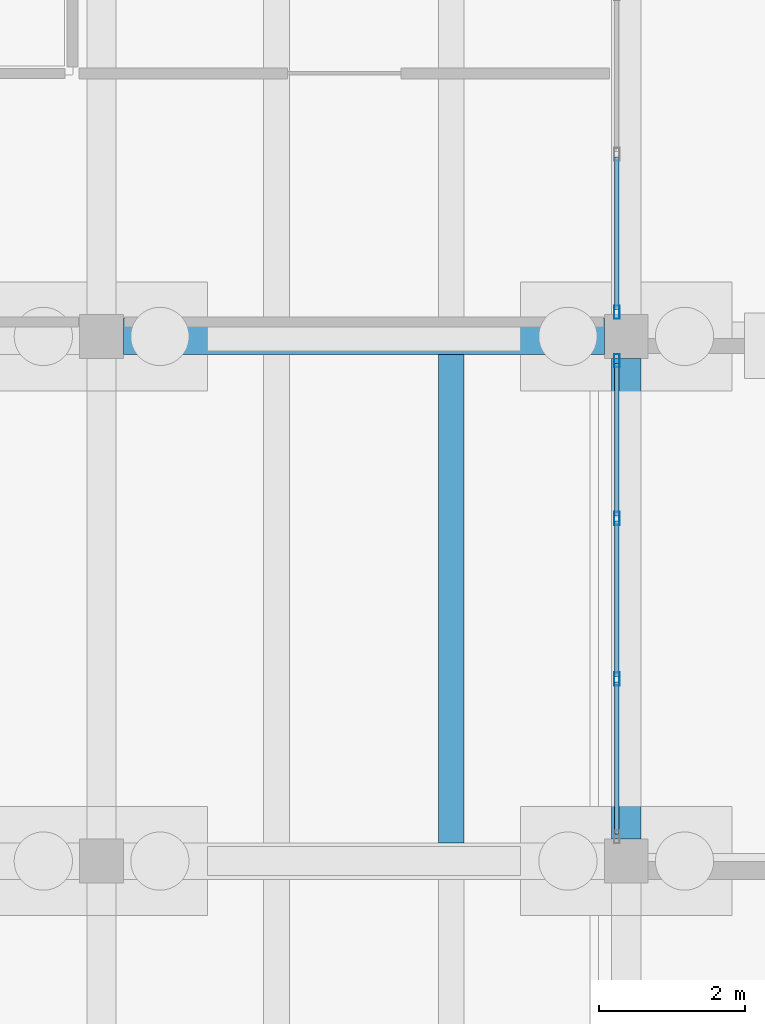
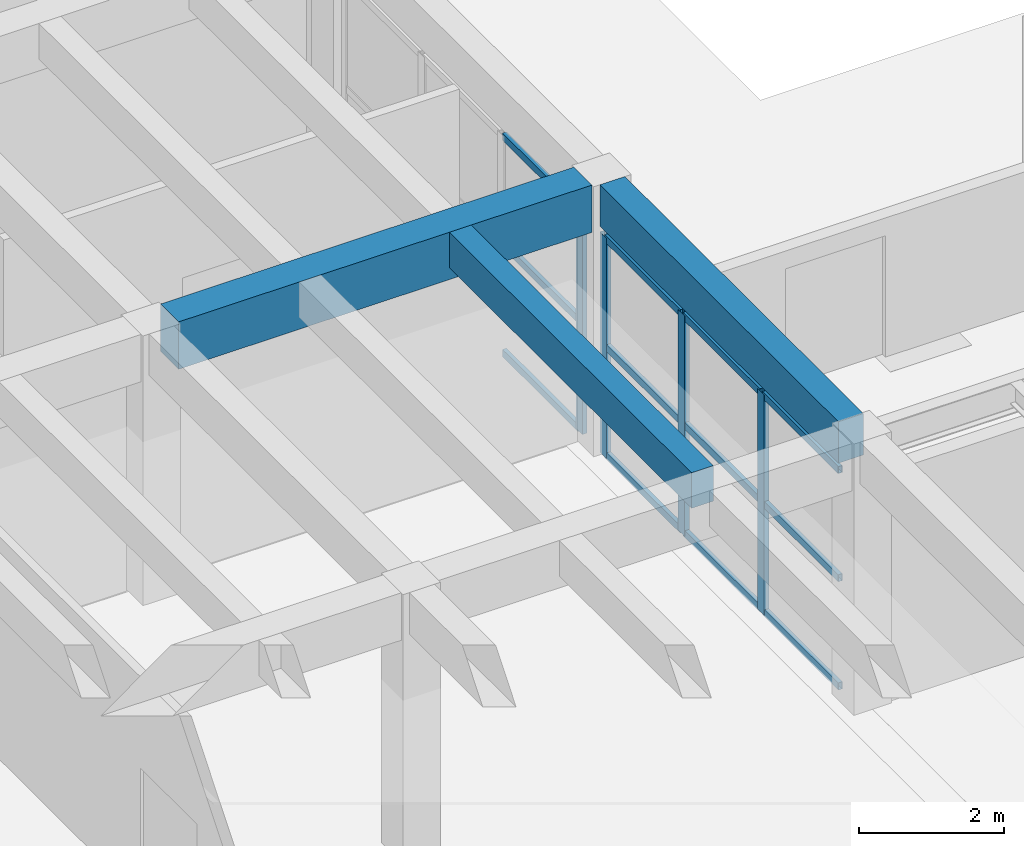
# One storey, part 49 of 155: 16 members, 3 beams, 2 elements without a shape of their own.
"""IFC4 building model written with IfcOpenShell, lengths in metres."""

from ifc_helpers import new_model, si_unit, direction, frame, origin, origin_2d, place, context, subcontext, project, spatial, rectangle, hollow_rectangle, extrude, material, material_profile, profile_set, type_object, element, aggregate, save


model = new_model("IFC4")

# Units and contexts
model_context = context("Model", 3, precision=1e-05, world=origin(), true_north=direction((0.0, 1.0)))
body_context = subcontext(model_context, "Body", "Model", "MODEL_VIEW")
ifc_project = project(units=[si_unit("LENGTHUNIT", "METRE"), si_unit("AREAUNIT", "SQUARE_METRE"), si_unit("VOLUMEUNIT", "CUBIC_METRE"), si_unit("PLANEANGLEUNIT", "RADIAN"), si_unit("MASSUNIT", "GRAM", prefix="KILO")], contexts=[model_context])

# Site, building, storey
site_placement = place(None, origin())
site = spatial("IfcSite", under=ifc_project, at=site_placement, CompositionType="ELEMENT")
building_placement = place(site_placement, origin())
building = spatial("IfcBuilding", under=site, at=building_placement, Name="Bramvelor Terrace Health Centre", CompositionType="ELEMENT")
storey_placement = place(building_placement, origin())
storey = spatial("IfcBuildingStorey", under=building, at=storey_placement, Name="L01", CompositionType="ELEMENT", Elevation=0.0)

# Beams
ifc_material_1 = material(Name="Concrete C40/50", Category="concrete")
ifc_material_profile_1 = material_profile(ifc_material_1, rectangle(XDim=0.39990234375, YDim=0.699951171875, at=origin_2d()), Name="RC 400x700")
ifc_profile_set_1 = profile_set([ifc_material_profile_1], Name="Concrete C40/50")
beam_type_1 = type_object("IfcBeamType", Name="BM-RC-G700", PredefinedType="BEAM", material=ifc_profile_set_1)
beam_1_placement = place(storey_placement, frame((93.60009765625, 57.89990234375, 4.2099609375), z_axis=(0.0, 1.0, 0.0), x_axis=(-1.0, 0.0, 0.0)))
element("IfcBeam", 1, at=beam_1_placement, inside=storey, type_object=beam_type_1, Name="L01 Floor Girder", PredefinedType="BEAM", context=body_context, shape_type="SweptSolid", body=[
    extrude(rectangle(XDim=0.39990234375, YDim=0.699951171875, at=origin_2d()), origin(), (0.0, 0.0, 1.0), 6.60009765625),
])
ifc_material_2 = material(Name="Concrete C40/50", Category="concrete")
ifc_material_profile_2 = material_profile(ifc_material_2, rectangle(XDim=0.5, YDim=0.800048828125, at=origin_2d()), Name="RC 500x800")
ifc_profile_set_2 = profile_set([ifc_material_profile_2], Name="Concrete C40/50")
beam_type_2 = type_object("IfcBeamType", Name="BM-RC-G800", PredefinedType="BEAM", material=ifc_profile_set_2)
beam_2_placement = place(storey_placement, frame((86.699951171875, 64.800048828125, 4.159912109375), z_axis=(1.0, 0.0, 0.0), x_axis=(0.0, 1.0, 0.0)))
element("IfcBeam", 2, at=beam_2_placement, inside=storey, type_object=beam_type_2, Name="L01 Floor Girder", PredefinedType="BEAM", context=body_context, shape_type="SweptSolid", body=[
    extrude(rectangle(XDim=0.5, YDim=0.800048828125, at=origin_2d()), origin(), (0.0, 0.0, 1.0), 6.60009765625),
])
ifc_material_3 = material(Name="Concrete C40/50", Category="concrete")
ifc_material_profile_3 = material_profile(ifc_material_3, rectangle(XDim=0.35009765625, YDim=0.60009765625, at=origin_2d()), Name="RC 350x600")
ifc_profile_set_3 = profile_set([ifc_material_profile_3], Name="Concrete C40/50")
beam_type_3 = type_object("IfcBeamType", Name="BM-RC-J600", PredefinedType="JOIST", material=ifc_profile_set_3)
beam_3_placement = place(storey_placement, frame((91.199951171875, 57.85009765625, 4.260009765625), z_axis=(0.0, 1.0, 0.0), x_axis=(-1.0, 0.0, 0.0)))
element("IfcBeam", 3, at=beam_3_placement, inside=storey, type_object=beam_type_3, Name="L01 Secondary Floor Joist", PredefinedType="JOIST", context=body_context, shape_type="SweptSolid", body=[
    extrude(rectangle(XDim=0.35009765625, YDim=0.60009765625, at=origin_2d()), origin(), (0.0, 0.0, 1.0), 6.699951171875),
])

# Curtain wall, member
ifc_material_4 = material(Name="Anodized aluminium and double low-E glass", Category="aluminium")
curtain_wall_type = type_object("IfcCurtainWallType", Name="CW-SYS-02", PredefinedType="NOTDEFINED", material=ifc_material_4)
curtain_wall_1_placement = place(storey_placement, origin())
curtain_wall_1 = element("IfcCurtainWall", 4, at=curtain_wall_1_placement, inside=storey, type_object=curtain_wall_type, Name="L01 Unitized Curtain Wall 34", PredefinedType="NOTDEFINED")
ifc_material_5 = material(Name="Anodized aluminium 6063-T6", Category="aluminium")
ifc_material_profile_4 = material_profile(ifc_material_5, hollow_rectangle(XDim=0.074951171875, YDim=0.179931640625, WallThickness=0.00341796875, at=origin_2d()), Name="ALU-MUL 75x180x3.5")
ifc_profile_set_4 = profile_set([ifc_material_profile_4], Name="Anodized aluminium 6063-T6")
member_type_1 = type_object("IfcMemberType", Name="CW-MUL-65x180", PredefinedType="MULLION", material=ifc_profile_set_4)
member_1_placement = place(storey_placement, frame((93.469970703125, 65.132568359375, 0.0), z_axis=(0.0, 0.0, 1.0), x_axis=(1.0, 0.0, 0.0)))
member_1 = element("IfcMember", 5, at=member_1_placement, type_object=member_type_1, Name="CW-02 mullion 4", PredefinedType="MULLION", context=body_context, shape_type="SweptSolid", body=[
    extrude(hollow_rectangle(XDim=0.074951171875, YDim=0.179931640625, WallThickness=0.00341796875, at=origin_2d()), origin(), (0.0, 0.0, 1.0), 3.719970703125),
])

# Curtain wall, members
curtain_wall_2_placement = place(storey_placement, origin())
curtain_wall_2 = element("IfcCurtainWall", 6, at=curtain_wall_2_placement, inside=storey, type_object=curtain_wall_type, Name="L01 Unitized Curtain Wall 35", PredefinedType="NOTDEFINED")
member_2_placement = place(storey_placement, frame((93.469970703125, 64.467529296875, 0.0), z_axis=(0.0, 0.0, 1.0), x_axis=(1.0, 0.0, 0.0)))
member_2 = element("IfcMember", 7, at=member_2_placement, type_object=member_type_1, Name="CW-02 mullion 1", PredefinedType="MULLION", context=body_context, shape_type="SweptSolid", body=[
    extrude(hollow_rectangle(XDim=0.074951171875, YDim=0.179931640625, WallThickness=0.00341796875, at=origin_2d()), origin(), (0.0, 0.0, 1.0), 3.719970703125),
])
member_3_placement = place(storey_placement, frame((93.469970703125, 62.3017578125, 0.0), z_axis=(0.0, 0.0, 1.0), x_axis=(1.0, 0.0, 0.0)))
member_3 = element("IfcMember", 8, at=member_3_placement, type_object=member_type_1, Name="CW-02 mullion 2", PredefinedType="MULLION", context=body_context, shape_type="SweptSolid", body=[
    extrude(hollow_rectangle(XDim=0.074951171875, YDim=0.179931640625, WallThickness=0.00341796875, at=origin_2d()), origin(), (0.0, 0.0, 1.0), 3.719970703125),
])
member_4_placement = place(storey_placement, frame((93.469970703125, 60.098388671875, 0.0), z_axis=(0.0, 0.0, 1.0), x_axis=(1.0, 0.0, 0.0)))
member_4 = element("IfcMember", 9, at=member_4_placement, type_object=member_type_1, Name="CW-02 mullion 3", PredefinedType="MULLION", context=body_context, shape_type="SweptSolid", body=[
    extrude(hollow_rectangle(XDim=0.074951171875, YDim=0.179931640625, WallThickness=0.00341796875, at=origin_2d()), origin(), (0.0, 0.0, 1.0), 3.719970703125),
])

# Member
ifc_material_6 = material(Name="Anodized aluminium 6063-T6", Category="aluminium")
ifc_material_profile_5 = material_profile(ifc_material_6, hollow_rectangle(XDim=0.06494140625, YDim=0.1201171875, WallThickness=0.0029296875, at=origin_2d()), Name="ALU-TRN 65x120x3.0")
ifc_profile_set_5 = profile_set([ifc_material_profile_5], Name="Anodized aluminium 6063-T6")
member_type_2 = type_object("IfcMemberType", Name="CW-TRN-65x150", PredefinedType="USERDEFINED", material=ifc_profile_set_5)
member_5_placement = place(storey_placement, frame((93.469970703125, 67.2607421875, 0.032470703125), z_axis=(0.0, -1.0, 0.0), x_axis=(1.0, 0.0, 0.0)))
member_5 = element("IfcMember", 10, at=member_5_placement, type_object=member_type_2, Name="CW-02 transom 3.1", ObjectType="TRANSOM", PredefinedType="USERDEFINED", context=body_context, shape_type="SweptSolid", body=[
    extrude(hollow_rectangle(XDim=0.06494140625, YDim=0.1201171875, WallThickness=0.0029296875, at=origin_2d()), origin(), (0.0, 0.0, 1.0), 2.0908203125),
])

member_6_placement = place(storey_placement, frame((93.469970703125, 67.2607421875, 1.860107421875), z_axis=(0.0, -1.0, 0.0), x_axis=(1.0, 0.0, 0.0)))
member_6 = element("IfcMember", 11, at=member_6_placement, type_object=member_type_2, Name="CW-02 transom 3.2", ObjectType="TRANSOM", PredefinedType="USERDEFINED", context=body_context, shape_type="SweptSolid", body=[
    extrude(hollow_rectangle(XDim=0.06494140625, YDim=0.1201171875, WallThickness=0.0029296875, at=origin_2d()), origin(), (0.0, 0.0, 1.0), 2.0908203125),
])

member_7_placement = place(storey_placement, frame((93.469970703125, 67.2607421875, 3.6875), z_axis=(0.0, -1.0, 0.0), x_axis=(1.0, 0.0, 0.0)))
member_7 = element("IfcMember", 12, at=member_7_placement, type_object=member_type_2, Name="CW-02 transom 3.3", ObjectType="TRANSOM", PredefinedType="USERDEFINED", context=body_context, shape_type="SweptSolid", body=[
    extrude(hollow_rectangle(XDim=0.06494140625, YDim=0.1201171875, WallThickness=0.0029296875, at=origin_2d()), origin(), (0.0, 0.0, 1.0), 2.0908203125),
])

aggregate(curtain_wall_1, [member_1, member_5, member_6, member_7])

member_8_placement = place(storey_placement, frame((93.469970703125, 64.429931640625, 0.032470703125), z_axis=(0.0, -1.0, 0.0), x_axis=(1.0, 0.0, 0.0)))
member_8 = element("IfcMember", 13, at=member_8_placement, type_object=member_type_2, Name="CW-02 transom 1.1", ObjectType="TRANSOM", PredefinedType="USERDEFINED", context=body_context, shape_type="SweptSolid", body=[
    extrude(hollow_rectangle(XDim=0.06494140625, YDim=0.1201171875, WallThickness=0.0029296875, at=origin_2d()), origin(), (0.0, 0.0, 1.0), 2.0908203125),
])

member_9_placement = place(storey_placement, frame((93.469970703125, 64.429931640625, 1.860107421875), z_axis=(0.0, -1.0, 0.0), x_axis=(1.0, 0.0, 0.0)))
member_9 = element("IfcMember", 14, at=member_9_placement, type_object=member_type_2, Name="CW-02 transom 1.2", ObjectType="TRANSOM", PredefinedType="USERDEFINED", context=body_context, shape_type="SweptSolid", body=[
    extrude(hollow_rectangle(XDim=0.06494140625, YDim=0.1201171875, WallThickness=0.0029296875, at=origin_2d()), origin(), (0.0, 0.0, 1.0), 2.0908203125),
])

member_10_placement = place(storey_placement, frame((93.469970703125, 64.429931640625, 3.6875), z_axis=(0.0, -1.0, 0.0), x_axis=(1.0, 0.0, 0.0)))
member_10 = element("IfcMember", 15, at=member_10_placement, type_object=member_type_2, Name="CW-02 transom 1.3", ObjectType="TRANSOM", PredefinedType="USERDEFINED", context=body_context, shape_type="SweptSolid", body=[
    extrude(hollow_rectangle(XDim=0.06494140625, YDim=0.1201171875, WallThickness=0.0029296875, at=origin_2d()), origin(), (0.0, 0.0, 1.0), 2.0908203125),
])

member_11_placement = place(storey_placement, frame((93.469970703125, 62.26416015625, 0.032470703125), z_axis=(0.0, -1.0, 0.0), x_axis=(1.0, 0.0, 0.0)))
member_11 = element("IfcMember", 16, at=member_11_placement, type_object=member_type_2, Name="CW-02 transom 2.1", ObjectType="TRANSOM", PredefinedType="USERDEFINED", context=body_context, shape_type="SweptSolid", body=[
    extrude(hollow_rectangle(XDim=0.06494140625, YDim=0.1201171875, WallThickness=0.0029296875, at=origin_2d()), origin(), (0.0, 0.0, 1.0), 2.12841796875),
])

member_12_placement = place(storey_placement, frame((93.469970703125, 62.26416015625, 1.860107421875), z_axis=(0.0, -1.0, 0.0), x_axis=(1.0, 0.0, 0.0)))
member_12 = element("IfcMember", 17, at=member_12_placement, type_object=member_type_2, Name="CW-02 transom 2.2", ObjectType="TRANSOM", PredefinedType="USERDEFINED", context=body_context, shape_type="SweptSolid", body=[
    extrude(hollow_rectangle(XDim=0.06494140625, YDim=0.1201171875, WallThickness=0.0029296875, at=origin_2d()), origin(), (0.0, 0.0, 1.0), 2.12841796875),
])

member_13_placement = place(storey_placement, frame((93.469970703125, 62.26416015625, 3.6875), z_axis=(0.0, -1.0, 0.0), x_axis=(1.0, 0.0, 0.0)))
member_13 = element("IfcMember", 18, at=member_13_placement, type_object=member_type_2, Name="CW-02 transom 2.3", ObjectType="TRANSOM", PredefinedType="USERDEFINED", context=body_context, shape_type="SweptSolid", body=[
    extrude(hollow_rectangle(XDim=0.06494140625, YDim=0.1201171875, WallThickness=0.0029296875, at=origin_2d()), origin(), (0.0, 0.0, 1.0), 2.12841796875),
])

member_14_placement = place(storey_placement, frame((93.469970703125, 60.060791015625, 0.032470703125), z_axis=(0.0, -1.0, 0.0), x_axis=(1.0, 0.0, 0.0)))
member_14 = element("IfcMember", 19, at=member_14_placement, type_object=member_type_2, Name="CW-02 transom 3.1", ObjectType="TRANSOM", PredefinedType="USERDEFINED", context=body_context, shape_type="SweptSolid", body=[
    extrude(hollow_rectangle(XDim=0.06494140625, YDim=0.1201171875, WallThickness=0.0029296875, at=origin_2d()), origin(), (0.0, 0.0, 1.0), 2.0908203125),
])

member_15_placement = place(storey_placement, frame((93.469970703125, 60.060791015625, 1.860107421875), z_axis=(0.0, -1.0, 0.0), x_axis=(1.0, 0.0, 0.0)))
member_15 = element("IfcMember", 20, at=member_15_placement, type_object=member_type_2, Name="CW-02 transom 3.2", ObjectType="TRANSOM", PredefinedType="USERDEFINED", context=body_context, shape_type="SweptSolid", body=[
    extrude(hollow_rectangle(XDim=0.06494140625, YDim=0.1201171875, WallThickness=0.0029296875, at=origin_2d()), origin(), (0.0, 0.0, 1.0), 2.0908203125),
])

member_16_placement = place(storey_placement, frame((93.469970703125, 60.060791015625, 3.6875), z_axis=(0.0, -1.0, 0.0), x_axis=(1.0, 0.0, 0.0)))
member_16 = element("IfcMember", 21, at=member_16_placement, type_object=member_type_2, Name="CW-02 transom 3.3", ObjectType="TRANSOM", PredefinedType="USERDEFINED", context=body_context, shape_type="SweptSolid", body=[
    extrude(hollow_rectangle(XDim=0.06494140625, YDim=0.1201171875, WallThickness=0.0029296875, at=origin_2d()), origin(), (0.0, 0.0, 1.0), 2.0908203125),
])

aggregate(curtain_wall_2, [member_2, member_3, member_4, member_8, member_9, member_10, member_11, member_12, member_13, member_14, member_15, member_16])

save(model, "model.ifc")
